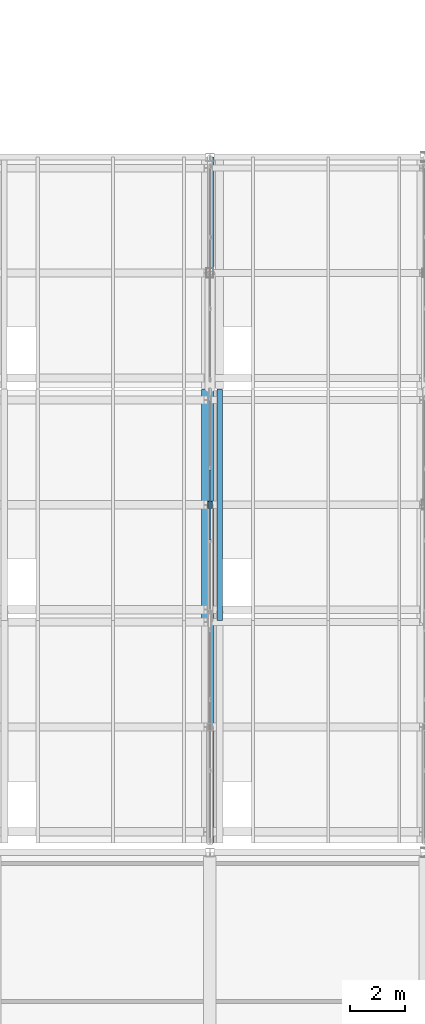
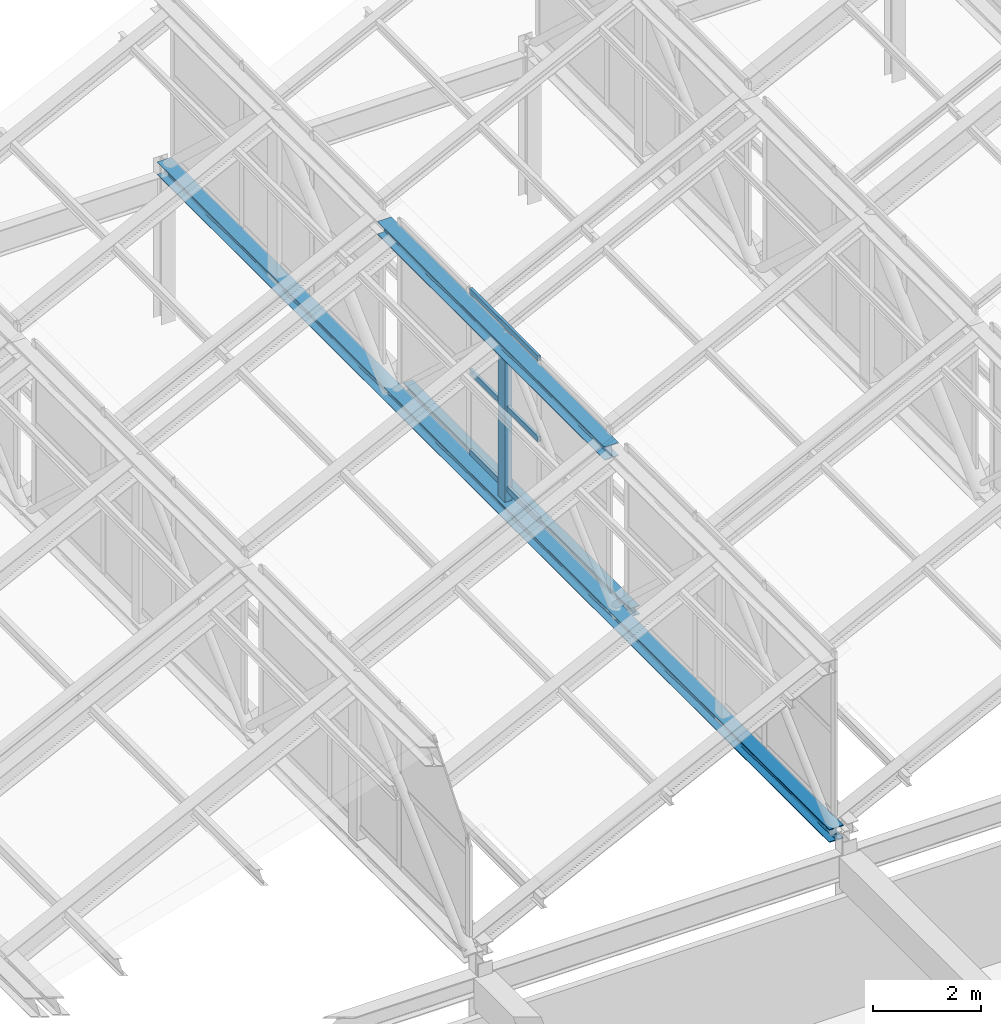
# One storey, part 21 of 101: 7 members, 1 element without a shape of its own.
"""IFC4 building model written with IfcOpenShell, lengths in metres."""

from ifc_helpers import new_model, si_unit, direction, frame, origin, origin_2d, place, context, subcontext, project, spatial, hollow_rectangle, i_section, extrude, material, layer, layer_set, material_profile, profile_set, type_object, element, aggregate, save


model = new_model("IFC4")

# Units and contexts
model_context = context("Model", 3, precision=1e-05, world=origin(), true_north=direction((0.0, 1.0)))
body_context = subcontext(model_context, "Body", "Model", "MODEL_VIEW")
ifc_project = project(units=[si_unit("LENGTHUNIT", "METRE"), si_unit("AREAUNIT", "SQUARE_METRE"), si_unit("VOLUMEUNIT", "CUBIC_METRE"), si_unit("PLANEANGLEUNIT", "RADIAN"), si_unit("MASSUNIT", "GRAM", prefix="KILO")], contexts=[model_context])

# Site, building, storey
site_placement = place(None, origin())
site = spatial("IfcSite", under=ifc_project, at=site_placement, CompositionType="ELEMENT")
building_placement = place(site_placement, origin())
building = spatial("IfcBuilding", under=site, at=building_placement, Name="Zizhar Promenade General Hospital", CompositionType="ELEMENT")
storey_placement = place(building_placement, frame((0.0, 0.0, 14.39990234375)))
storey = spatial("IfcBuildingStorey", under=building, at=storey_placement, Name="L03", CompositionType="ELEMENT", Elevation=14.39990234375)

# Curtain wall, members
ifc_material_1 = material(Name="Anodised aluminium 6063-T6 and low-E glass", Category="aluminium")
ifc_layer = layer(ifc_material_1, 0.159912109375)
ifc_layer_set = layer_set([ifc_layer], Name="Anodised aluminium 6063-T6 and low-E glass")
curtain_wall_type = type_object("IfcCurtainWallType", Name="CW-SAW-NL2", PredefinedType="NOTDEFINED", material=ifc_layer_set)
curtain_wall_placement = place(storey_placement, origin())
curtain_wall = element("IfcCurtainWall", 1, at=curtain_wall_placement, inside=storey, type_object=curtain_wall_type, Name="Sawtooth Clerestory Light B2-S2", PredefinedType="NOTDEFINED")
ifc_material_2 = material(Name="Anodised aluminium 6063-T6", Category="aluminium")
ifc_material_profile_1 = material_profile(ifc_material_2, hollow_rectangle(XDim=0.06005859375, YDim=0.1201171875, WallThickness=0.00390625, at=origin_2d()))
ifc_profile_set_1 = profile_set([ifc_material_profile_1], Name="Anodised aluminium 6063-T6")
member_type_1 = type_object("IfcMemberType", Name="CWT-ALU-120x60", PredefinedType="USERDEFINED", material=ifc_profile_set_1)
member_1_placement = place(storey_placement, frame((85.800048828125, 36.530029296875, 3.880126953125), z_axis=(0.0, 1.0, 0.0), x_axis=(-1.0, 0.0, 0.0)))
member_1 = element("IfcMember", 2, at=member_1_placement, type_object=member_type_1, Name="CW-04 transom 2.1", ObjectType="TRANSOM", PredefinedType="USERDEFINED", context=body_context, shape_type="SweptSolid", body=[
    extrude(hollow_rectangle(XDim=0.06005859375, YDim=0.1201171875, WallThickness=0.00390625, at=origin_2d()), origin(), (0.0, 0.0, 1.0), 2.5400390625),
])
member_2_placement = place(storey_placement, frame((85.800048828125, 36.530029296875, 5.7001953125), z_axis=(0.0, 1.0, 0.0), x_axis=(-1.0, 0.0, 0.0)))
member_2 = element("IfcMember", 3, at=member_2_placement, type_object=member_type_1, Name="CW-04 transom 2.2", ObjectType="TRANSOM", PredefinedType="USERDEFINED", context=body_context, shape_type="SweptSolid", body=[
    extrude(hollow_rectangle(XDim=0.06005859375, YDim=0.1201171875, WallThickness=0.00390625, at=origin_2d()), origin(), (0.0, 0.0, 1.0), 2.5400390625),
])
member_3_placement = place(storey_placement, frame((85.800048828125, 36.530029296875, 7.52001953125), z_axis=(0.0, 1.0, 0.0), x_axis=(-1.0, 0.0, 0.0)))
member_3 = element("IfcMember", 4, at=member_3_placement, type_object=member_type_1, Name="CW-04 transom 2.3", ObjectType="TRANSOM", PredefinedType="USERDEFINED", context=body_context, shape_type="SweptSolid", body=[
    extrude(hollow_rectangle(XDim=0.06005859375, YDim=0.1201171875, WallThickness=0.00390625, at=origin_2d()), origin(), (0.0, 0.0, 1.0), 2.5400390625),
])
aggregate(curtain_wall, [member_1, member_2, member_3])

# Members
ifc_material_3 = material(Name="Steel S355", Category="steel")
ifc_material_profile_2 = material_profile(ifc_material_3, i_section(OverallWidth=0.199951171875, OverallDepth=0.199951171875, WebThickness=0.009033203125, FlangeThickness=0.014892578125, FilletRadius=0.01806640625, at=origin_2d()))
ifc_profile_set_2 = profile_set([ifc_material_profile_2], Name="Steel S355")
member_type_2 = type_object("IfcMemberType", Name="MEM-CHORD-HEB200", PredefinedType="CHORD", material=ifc_profile_set_2)
member_4_placement = place(storey_placement, frame((86.14990234375, 33.60009765625, 3.47021484375), z_axis=(0.0, 1.0, 0.0), x_axis=(-1.0, 0.0, 0.0)))
element("IfcMember", 5, at=member_4_placement, inside=storey, type_object=member_type_2, Name="Sawtooth Bay 3 Valley Tie 2", PredefinedType="CHORD", context=body_context, shape_type="SweptSolid", body=[
    extrude(i_section(OverallWidth=0.199951171875, OverallDepth=0.199951171875, WebThickness=0.009033203125, FlangeThickness=0.014892578125, FilletRadius=0.01806640625, at=origin_2d()), origin(), (0.0, 0.0, 1.0), 8.39990234375),
])
ifc_material_4 = material(Name="Steel S355", Category="steel")
ifc_material_profile_3 = material_profile(ifc_material_4, i_section(OverallWidth=0.300048828125, OverallDepth=0.300048828125, WebThickness=0.010986328125, FlangeThickness=0.01904296875, FilletRadius=0.027099609375, at=origin_2d()))
ifc_profile_set_3 = profile_set([ifc_material_profile_3], Name="Steel S355")
member_type_3 = type_object("IfcMemberType", Name="MEM-CHORD-HEB300", PredefinedType="CHORD", material=ifc_profile_set_3)
member_5_placement = place(storey_placement, frame((85.800048828125, 25.550048828125, 3.4501953125), z_axis=(0.0, 1.0, 0.0), x_axis=(-1.0, 0.0, 0.0)))
element("IfcMember", 6, at=member_5_placement, inside=storey, type_object=member_type_3, Name="Sawtooth Truss Frame 3 Bottom Chord", PredefinedType="CHORD", context=body_context, shape_type="SweptSolid", body=[
    extrude(i_section(OverallWidth=0.300048828125, OverallDepth=0.300048828125, WebThickness=0.010986328125, FlangeThickness=0.01904296875, FilletRadius=0.027099609375, at=origin_2d()), origin(), (0.0, 0.0, 1.0), 24.849853515625),
])
member_6_placement = place(storey_placement, frame((85.64990234375, 33.60009765625, 7.25), z_axis=(0.0, 1.0, 0.0), x_axis=(-1.0, 0.0, 0.0)))
element("IfcMember", 7, at=member_6_placement, inside=storey, type_object=member_type_3, Name="Sawtooth Bay 2 Ridge Chord 2", PredefinedType="CHORD", context=body_context, shape_type="SweptSolid", body=[
    extrude(i_section(OverallWidth=0.300048828125, OverallDepth=0.300048828125, WebThickness=0.010986328125, FlangeThickness=0.01904296875, FilletRadius=0.027099609375, at=origin_2d()), origin(), (0.0, 0.0, 1.0), 8.39990234375),
])
ifc_material_5 = material(Name="Steel S355", Category="steel")
ifc_material_profile_4 = material_profile(ifc_material_5, hollow_rectangle(XDim=0.14990234375, YDim=0.25, WallThickness=0.008056640625, at=origin_2d()))
ifc_profile_set_4 = profile_set([ifc_material_profile_4], Name="Steel S355")
member_type_4 = type_object("IfcMemberType", Name="MEM-STRUT-RHS250", PredefinedType="STRUT", material=ifc_profile_set_4)
member_7_placement = place(storey_placement, frame((85.800048828125, 37.800048828125, 3.4501953125), z_axis=(0.0, 0.0, 1.0), x_axis=(1.0, 0.0, 0.0)))
element("IfcMember", 8, at=member_7_placement, inside=storey, type_object=member_type_4, Name="Sawtooth Truss Frame 3 Vertical Post 2", PredefinedType="STRUT", context=body_context, shape_type="SweptSolid", body=[
    extrude(hollow_rectangle(XDim=0.14990234375, YDim=0.25, WallThickness=0.008056640625, at=origin_2d()), origin(), (0.0, 0.0, 1.0), 3.89990234375),
])

save(model, "model.ifc")
